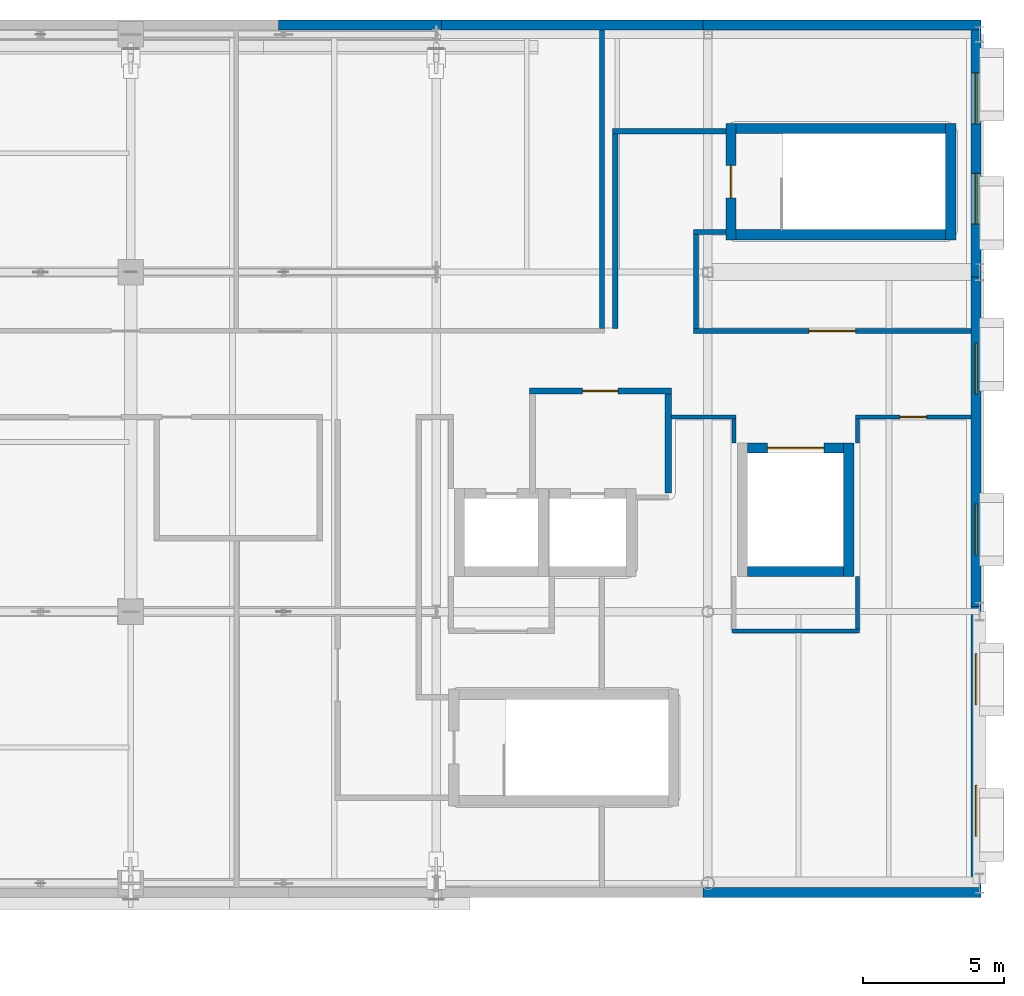
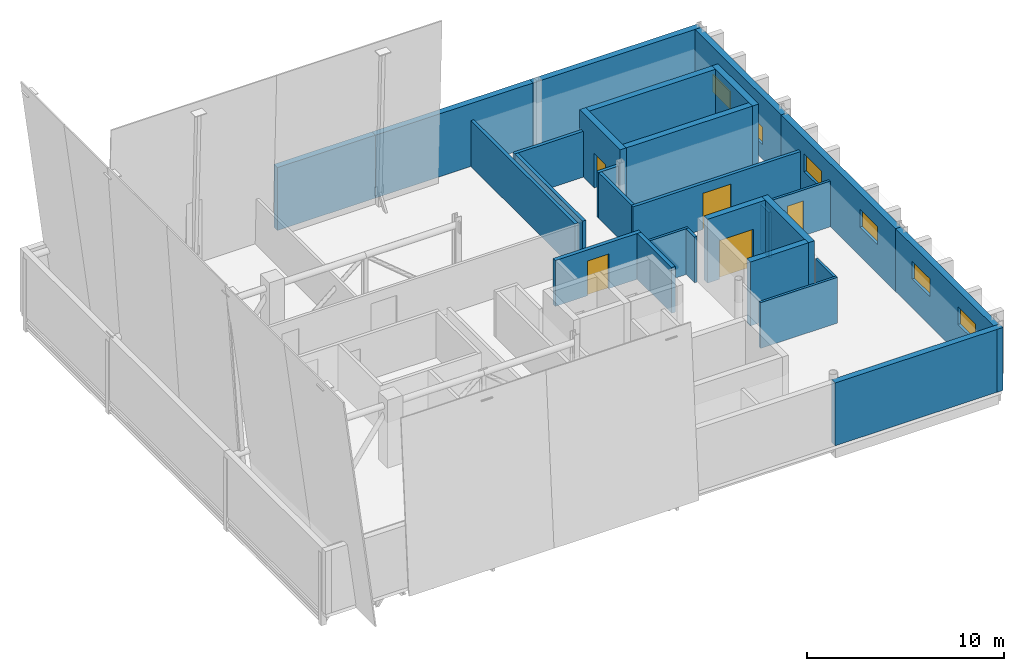
# One storey, part 8 of 10: 28 walls, 6 windows, 5 doors, 11 openings.
"""IFC4 building model written with IfcOpenShell, lengths in metres."""

from ifc_helpers import new_model, si_unit, direction, frame, frame_2d, origin, place, context, subcontext, project, spatial, rectangle, extrude, material, layer, layer_set, type_object, element, fill, save


model = new_model("IFC4")

# Units and contexts
model_context = context("Model", 3, precision=1e-05, world=origin(), true_north=direction((0.0, 1.0)))
body_context = subcontext(model_context, "Body", "Model", "MODEL_VIEW")
ifc_project = project(units=[si_unit("LENGTHUNIT", "METRE"), si_unit("AREAUNIT", "SQUARE_METRE"), si_unit("VOLUMEUNIT", "CUBIC_METRE"), si_unit("PLANEANGLEUNIT", "RADIAN"), si_unit("MASSUNIT", "GRAM", prefix="KILO")], contexts=[model_context])

# Site, building, storey
site_placement = place(None, origin())
site = spatial("IfcSite", under=ifc_project, at=site_placement, CompositionType="ELEMENT")
building_placement = place(site_placement, origin())
building = spatial("IfcBuilding", under=site, at=building_placement, Name="Zereglee Splitstone Museum", CompositionType="ELEMENT")
storey_placement = place(building_placement, frame((0.0, 0.0, 25.5)))
storey = spatial("IfcBuildingStorey", under=building, at=storey_placement, Name="L05", CompositionType="ELEMENT", Elevation=25.5)

# Wall, opening, door
ifc_material_1 = material(Name="Concrete C45/55", Category="concrete")
ifc_layer_1 = layer(ifc_material_1, 0.360107421875)
ifc_layer_set_1 = layer_set([ifc_layer_1], Name="Concrete C45/55")
wall_type_1 = type_object("IfcWallType", Name="CSW-02", PredefinedType="SHEAR", material=ifc_layer_set_1)
wall_1_placement = place(storey_placement, frame((30.820068359375, 22.739990234375, 0.0), z_axis=(0.0, 0.0, 1.0), x_axis=(0.0, 1.0, 0.0)))
wall_1 = element("IfcWall", 1, at=wall_1_placement, inside=storey, type_object=wall_type_1, Name="Stair Core Shear Wall ST-02 L05 West", PredefinedType="SHEAR", context=body_context, shape_type="SweptSolid", body=[
    extrude(rectangle(XDim=4.1201171875, YDim=0.360107421875, at=frame_2d((2.06005859375, 0.0))), origin(), (0.0, 0.0, 1.0), 3.9599609375),
])
opening_1_placement = place(wall_1_placement, frame((1.485107421875, 0.0, 0.0)))
opening_1 = element("IfcOpeningElement", 2, at=opening_1_placement, cuts=wall_1, Name="Opening ID-03", PredefinedType="OPENING", context=body_context, shape_type="SweptSolid", body=[
    extrude(rectangle(XDim=1.14990234375, YDim=2.14990234375, at=frame_2d((0.574951171875, 1.074951171875))), frame((0.0, 0.19482421875, 0.0), z_axis=(0.0, -1.0, 0.0), x_axis=(1.0, 0.0, 0.0)), (0.0, 0.0, 1.0), 0.389892578125),
])
ifc_material_2 = material(Name="Fire-rated steel and Siberian larch leaf", Category="steel")
door_type_1 = type_object("IfcDoorType", Name="ID-03", OperationType="NOTDEFINED", PredefinedType="DOOR", material=ifc_material_2)
door_1_placement = place(opening_1_placement, origin())
door_1 = element("IfcDoor", 3, at=door_1_placement, inside=storey, type_object=door_type_1, Name="Protected Stair Fire Door ST-02 L05", OperationType="SINGLE_SWING_LEFT", OverallHeight=2.14990234375, OverallWidth=1.14990234375, PredefinedType="DOOR", context=body_context, shape_type="SweptSolid", body=[
    extrude(rectangle(XDim=1.14990234375, YDim=2.14990234375, at=frame_2d((0.574951171875, 1.074951171875))), frame((0.0, 0.02490234375, 0.0), z_axis=(0.0, -1.0, 0.0), x_axis=(1.0, 0.0, 0.0)), (0.0, 0.0, 1.0), 0.050048828125),
])
fill(opening_1, door_1)

# Walls
wall_2_placement = place(storey_placement, frame((38.580078125, 22.739990234375, 0.0), z_axis=(0.0, 0.0, 1.0), x_axis=(0.0, 1.0, 0.0)))
element("IfcWall", 4, at=wall_2_placement, inside=storey, type_object=wall_type_1, Name="Stair Core Shear Wall ST-02 L05 East", PredefinedType="SHEAR", context=body_context, shape_type="SweptSolid", body=[
    extrude(rectangle(XDim=4.1201171875, YDim=0.360107421875, at=frame_2d((2.06005859375, 0.0))), origin(), (0.0, 0.0, 1.0), 3.9599609375),
])
for number, where, z_axis, x_axis, name in (
    (5, (31.0, 26.679931640625, 0.0), (0.0, 0.0, 1.0), (1.0, 0.0, 0.0), "Stair Core Shear Wall ST-02 L05 North"),
    (6, (31.0, 22.919921875, 0.0), (0.0, 0.0, 1.0), (1.0, 0.0, 0.0), "Stair Core Shear Wall ST-02 L05 South"),
):
    element("IfcWall", number, at=place(storey_placement, frame(where, z_axis=z_axis, x_axis=x_axis)), inside=storey, type_object=wall_type_1, Name=name, PredefinedType="SHEAR", context=body_context, shape_type="SweptSolid", body=[
        extrude(rectangle(XDim=7.39990234375, YDim=0.360107421875, at=frame_2d((3.699951171875, 0.0))), origin(), (0.0, 0.0, 1.0), 3.9599609375),
    ])

# Wall, opening, door
wall_3_placement = place(storey_placement, frame((31.39990234375, 15.3798828125, 0.0), z_axis=(0.0, 0.0, 1.0), x_axis=(1.0, 0.0, 0.0)))
wall_3 = element("IfcWall", 7, at=wall_3_placement, inside=storey, type_object=wall_type_1, Name="Lift Shaft Wall GL-02 L05 North", PredefinedType="SHEAR", context=body_context, shape_type="SweptSolid", body=[
    extrude(rectangle(XDim=3.400146484375, YDim=0.360107421875, at=frame_2d((1.7001953125, 0.0))), origin(), (0.0, 0.0, 1.0), 3.9599609375),
])
opening_2_placement = place(wall_3_placement, frame((0.699951171875, 0.0, 0.0)))
opening_2 = element("IfcOpeningElement", 8, at=opening_2_placement, cuts=wall_3, Name="Opening LD-03", PredefinedType="OPENING", context=body_context, shape_type="SweptSolid", body=[
    extrude(rectangle(XDim=2.0, YDim=2.39990234375, at=frame_2d((1.0, 1.199951171875))), frame((0.0, 0.19482421875, 0.0), z_axis=(0.0, -1.0, 0.0), x_axis=(1.0, 0.0, 0.0)), (0.0, 0.0, 1.0), 0.389892578125),
])
door_type_2 = type_object("IfcDoorType", Name="LD-03", OperationType="DOUBLE_DOOR_SLIDING", PredefinedType="DOOR", material=ifc_material_2)
door_2_placement = place(opening_2_placement, origin())
door_2 = element("IfcDoor", 9, at=door_2_placement, inside=storey, type_object=door_type_2, Name="Lift Landing Sliding Door GL-02 L05", OperationType="DOUBLE_DOOR_SLIDING", OverallHeight=2.39990234375, OverallWidth=2.0, PredefinedType="DOOR", context=body_context, shape_type="SweptSolid", body=[
    extrude(rectangle(XDim=2.0, YDim=2.39990234375, at=frame_2d((1.0, 1.199951171875))), frame((0.0, 0.02490234375, 0.0), z_axis=(0.0, -1.0, 0.0), x_axis=(1.0, 0.0, 0.0)), (0.0, 0.0, 1.0), 0.050048828125),
])
fill(opening_2, door_2)

# Walls
wall_4_placement = place(storey_placement, frame((31.39990234375, 11.02001953125, 0.0), z_axis=(0.0, 0.0, 1.0), x_axis=(1.0, 0.0, 0.0)))
element("IfcWall", 10, at=wall_4_placement, inside=storey, type_object=wall_type_1, Name="Lift Shaft Wall GL-02 L05 South", PredefinedType="SHEAR", context=body_context, shape_type="SweptSolid", body=[
    extrude(rectangle(XDim=3.400146484375, YDim=0.360107421875, at=frame_2d((1.7001953125, 0.0))), origin(), (0.0, 0.0, 1.0), 3.9599609375),
])
wall_5_placement = place(storey_placement, frame((34.97998046875, 10.840087890625, 0.0), z_axis=(0.0, 0.0, 1.0), x_axis=(0.0, 1.0, 0.0)))
element("IfcWall", 11, at=wall_5_placement, inside=storey, type_object=wall_type_1, Name="Lift Shaft Wall GL-02 L05 East", PredefinedType="SHEAR", context=body_context, shape_type="SweptSolid", body=[
    extrude(rectangle(XDim=4.719970703125, YDim=0.360107421875, at=frame_2d((2.35986328125, 0.0))), origin(), (0.0, 0.0, 1.0), 3.9599609375),
])

# Wall, openings, windows
ifc_material_3 = material(Name="Precast concrete C40/50", Category="concrete")
ifc_layer_2 = layer(ifc_material_3, 0.35009765625)
ifc_layer_set_2 = layer_set([ifc_layer_2], Name="Precast concrete C40/50")
wall_type_2 = type_object("IfcWallType", Name="EW-01", PredefinedType="STANDARD", material=ifc_layer_set_2)
wall_6_placement = place(storey_placement, frame((39.47998046875, -0.510009765625, 0.0), z_axis=(0.0, 0.0, 1.0), x_axis=(0.0, 1.0, 0.0)))
wall_6 = element("IfcWall", 12, at=wall_6_placement, inside=storey, type_object=wall_type_2, Name="Exterior Backup Wall RC4-EW-L05-0238", PredefinedType="STANDARD", context=body_context, shape_type="SweptSolid", body=[
    extrude(rectangle(XDim=10.2900390625, YDim=0.35009765625, at=frame_2d((5.14501953125, 0.0))), origin(), (0.0, 0.0, 1.0), 3.89990234375),
])
opening_3_placement = place(wall_6_placement, frame((2.172607421875, 0.0, 1.800048828125)))
opening_3 = element("IfcOpeningElement", 13, at=opening_3_placement, cuts=wall_6, Name="Opening EW-W12", PredefinedType="OPENING", context=body_context, shape_type="SweptSolid", body=[
    extrude(rectangle(XDim=1.800048828125, YDim=1.10009765625, at=frame_2d((0.89990234375, 0.550048828125))), frame((0.0, 0.18994140625, 0.0), z_axis=(0.0, -1.0, 0.0), x_axis=(1.0, 0.0, 0.0)), (0.0, 0.0, 1.0), 0.3798828125),
])
opening_4_placement = place(wall_6_placement, frame((6.8173828125, 0.0, 1.800048828125)))
opening_4 = element("IfcOpeningElement", 14, at=opening_4_placement, cuts=wall_6, Name="Opening EW-W12", PredefinedType="OPENING", context=body_context, shape_type="SweptSolid", body=[
    extrude(rectangle(XDim=1.800048828125, YDim=1.10009765625, at=frame_2d((0.89990234375, 0.550048828125))), frame((0.0, 0.18994140625, 0.0), z_axis=(0.0, -1.0, 0.0), x_axis=(1.0, 0.0, 0.0)), (0.0, 0.0, 1.0), 0.3798828125),
])
ifc_material_4 = material(Name="Thermally broken aluminium frame with triple low-e glazing", Category="aluminium")
window_type = type_object("IfcWindowType", Name="EW-W12", PartitioningType="DOUBLE_PANEL_HORIZONTAL", PredefinedType="WINDOW", material=ifc_material_4)
window_1_placement = place(opening_3_placement, origin())
window_1 = element("IfcWindow", 15, at=window_1_placement, inside=storey, type_object=window_type, Name="Mughal Deep-Reveal Gallery Window L05-0153", OverallHeight=1.10009765625, OverallWidth=1.800048828125, PartitioningType="SINGLE_PANEL", PredefinedType="WINDOW", context=body_context, shape_type="SweptSolid", body=[
    extrude(rectangle(XDim=1.800048828125, YDim=1.10009765625, at=frame_2d((0.89990234375, 0.550048828125))), frame((0.0, 0.030029296875, 0.0), z_axis=(0.0, -1.0, 0.0), x_axis=(1.0, 0.0, 0.0)), (0.0, 0.0, 1.0), 0.06005859375),
])
fill(opening_3, window_1)
window_2_placement = place(opening_4_placement, origin())
window_2 = element("IfcWindow", 16, at=window_2_placement, inside=storey, type_object=window_type, Name="Mughal Deep-Reveal Gallery Window L05-0154", OverallHeight=1.10009765625, OverallWidth=1.800048828125, PartitioningType="SINGLE_PANEL", PredefinedType="WINDOW", context=body_context, shape_type="SweptSolid", body=[
    extrude(rectangle(XDim=1.800048828125, YDim=1.10009765625, at=frame_2d((0.89990234375, 0.550048828125))), frame((0.0, 0.030029296875, 0.0), z_axis=(0.0, -1.0, 0.0), x_axis=(1.0, 0.0, 0.0)), (0.0, 0.0, 1.0), 0.06005859375),
])
fill(opening_4, window_2)

wall_7_placement = place(storey_placement, frame((39.47998046875, 9.419921875, 0.0), z_axis=(0.0, 0.0, 1.0), x_axis=(0.0, 1.0, 0.0)))
wall_7 = element("IfcWall", 17, at=wall_7_placement, inside=storey, type_object=wall_type_2, Name="Exterior Backup Wall RC4-EW-L05-0239", PredefinedType="STANDARD", context=body_context, shape_type="SweptSolid", body=[
    extrude(rectangle(XDim=12.360107421875, YDim=0.35009765625, at=frame_2d((6.18017578125, 0.0))), origin(), (0.0, 0.0, 1.0), 3.89990234375),
])
opening_5_placement = place(wall_7_placement, frame((2.18994140625, 0.0, 1.800048828125)))
opening_5 = element("IfcOpeningElement", 18, at=opening_5_placement, cuts=wall_7, Name="Opening EW-W12", PredefinedType="OPENING", context=body_context, shape_type="SweptSolid", body=[
    extrude(rectangle(XDim=1.800048828125, YDim=1.10009765625, at=frame_2d((0.89990234375, 0.550048828125))), frame((0.0, 0.18994140625, 0.0), z_axis=(0.0, -1.0, 0.0), x_axis=(1.0, 0.0, 0.0)), (0.0, 0.0, 1.0), 0.3798828125),
])
opening_6_placement = place(wall_7_placement, frame((7.8701171875, 0.0, 1.800048828125)))
opening_6 = element("IfcOpeningElement", 19, at=opening_6_placement, cuts=wall_7, Name="Opening EW-W12", PredefinedType="OPENING", context=body_context, shape_type="SweptSolid", body=[
    extrude(rectangle(XDim=1.800048828125, YDim=1.10009765625, at=frame_2d((0.89990234375, 0.550048828125))), frame((0.0, 0.18994140625, 0.0), z_axis=(0.0, -1.0, 0.0), x_axis=(1.0, 0.0, 0.0)), (0.0, 0.0, 1.0), 0.3798828125),
])
window_3_placement = place(opening_5_placement, origin())
window_3 = element("IfcWindow", 20, at=window_3_placement, inside=storey, type_object=window_type, Name="Mughal Deep-Reveal Gallery Window L05-0155", OverallHeight=1.10009765625, OverallWidth=1.800048828125, PartitioningType="SINGLE_PANEL", PredefinedType="WINDOW", context=body_context, shape_type="SweptSolid", body=[
    extrude(rectangle(XDim=1.800048828125, YDim=1.10009765625, at=frame_2d((0.89990234375, 0.550048828125))), frame((0.0, 0.030029296875, 0.0), z_axis=(0.0, -1.0, 0.0), x_axis=(1.0, 0.0, 0.0)), (0.0, 0.0, 1.0), 0.06005859375),
])
fill(opening_5, window_3)
window_4_placement = place(opening_6_placement, origin())
window_4 = element("IfcWindow", 21, at=window_4_placement, inside=storey, type_object=window_type, Name="Mughal Deep-Reveal Gallery Window L05-0156", OverallHeight=1.10009765625, OverallWidth=1.800048828125, PartitioningType="SINGLE_PANEL", PredefinedType="WINDOW", context=body_context, shape_type="SweptSolid", body=[
    extrude(rectangle(XDim=1.800048828125, YDim=1.10009765625, at=frame_2d((0.89990234375, 0.550048828125))), frame((0.0, 0.030029296875, 0.0), z_axis=(0.0, -1.0, 0.0), x_axis=(1.0, 0.0, 0.0)), (0.0, 0.0, 1.0), 0.06005859375),
])
fill(opening_6, window_4)

wall_8_placement = place(storey_placement, frame((39.47998046875, 21.419921875, 0.0), z_axis=(0.0, 0.0, 1.0), x_axis=(0.0, 1.0, 0.0)))
wall_8 = element("IfcWall", 22, at=wall_8_placement, inside=storey, type_object=wall_type_2, Name="Exterior Backup Wall RC4-EW-L05-0240", PredefinedType="STANDARD", context=body_context, shape_type="SweptSolid", body=[
    extrude(rectangle(XDim=9.090087890625, YDim=0.35009765625, at=frame_2d((4.544921875, 0.0))), origin(), (0.0, 0.0, 1.0), 3.89990234375),
])
opening_7_placement = place(wall_8_placement, frame((1.87255859375, 0.0, 0.89990234375)))
opening_7 = element("IfcOpeningElement", 23, at=opening_7_placement, cuts=wall_8, Name="Opening EW-W12", PredefinedType="OPENING", context=body_context, shape_type="SweptSolid", body=[
    extrude(rectangle(XDim=1.800048828125, YDim=1.10009765625, at=frame_2d((0.89990234375, 0.550048828125))), frame((0.0, 0.18994140625, 0.0), z_axis=(0.0, -1.0, 0.0), x_axis=(1.0, 0.0, 0.0)), (0.0, 0.0, 1.0), 0.3798828125),
])
opening_8_placement = place(wall_8_placement, frame((5.41748046875, 0.0, 0.89990234375)))
opening_8 = element("IfcOpeningElement", 24, at=opening_8_placement, cuts=wall_8, Name="Opening EW-W12", PredefinedType="OPENING", context=body_context, shape_type="SweptSolid", body=[
    extrude(rectangle(XDim=1.800048828125, YDim=1.10009765625, at=frame_2d((0.89990234375, 0.550048828125))), frame((0.0, 0.18994140625, 0.0), z_axis=(0.0, -1.0, 0.0), x_axis=(1.0, 0.0, 0.0)), (0.0, 0.0, 1.0), 0.3798828125),
])
window_5_placement = place(opening_7_placement, origin())
window_5 = element("IfcWindow", 25, at=window_5_placement, inside=storey, type_object=window_type, Name="Mughal Deep-Reveal Gallery Window L05-0157", OverallHeight=1.10009765625, OverallWidth=1.800048828125, PartitioningType="SINGLE_PANEL", PredefinedType="WINDOW", context=body_context, shape_type="SweptSolid", body=[
    extrude(rectangle(XDim=1.800048828125, YDim=1.10009765625, at=frame_2d((0.89990234375, 0.550048828125))), frame((0.0, 0.030029296875, 0.0), z_axis=(0.0, -1.0, 0.0), x_axis=(1.0, 0.0, 0.0)), (0.0, 0.0, 1.0), 0.06005859375),
])
fill(opening_7, window_5)
window_6_placement = place(opening_8_placement, origin())
window_6 = element("IfcWindow", 26, at=window_6_placement, inside=storey, type_object=window_type, Name="Mughal Deep-Reveal Gallery Window L05-0158", OverallHeight=1.10009765625, OverallWidth=1.800048828125, PartitioningType="SINGLE_PANEL", PredefinedType="WINDOW", context=body_context, shape_type="SweptSolid", body=[
    extrude(rectangle(XDim=1.800048828125, YDim=1.10009765625, at=frame_2d((0.89990234375, 0.550048828125))), frame((0.0, 0.030029296875, 0.0), z_axis=(0.0, -1.0, 0.0), x_axis=(1.0, 0.0, 0.0)), (0.0, 0.0, 1.0), 0.06005859375),
])
fill(opening_8, window_6)

# Walls
wall_9_placement = place(storey_placement, frame((39.659912109375, 30.330078125, 0.0), z_axis=(0.0, 0.0, 1.0), x_axis=(-1.0, 0.0, 0.0)))
element("IfcWall", 27, at=wall_9_placement, inside=storey, type_object=wall_type_2, Name="Exterior Backup Wall RC4-EW-L05-0241", PredefinedType="STANDARD", context=body_context, shape_type="SweptSolid", body=[
    extrude(rectangle(XDim=9.83984375, YDim=0.35009765625, at=frame_2d((4.919921875, 0.0))), origin(), (0.0, 0.0, 1.0), 3.89990234375),
])
wall_10_placement = place(storey_placement, frame((30.179931640625, 30.330078125, 0.0), z_axis=(0.0, 0.0, 1.0), x_axis=(-1.0, 0.0, 0.0)))
element("IfcWall", 28, at=wall_10_placement, inside=storey, type_object=wall_type_2, Name="Exterior Backup Wall RC4-EW-L05-0242", PredefinedType="STANDARD", context=body_context, shape_type="SweptSolid", body=[
    extrude(rectangle(XDim=9.9599609375, YDim=0.35009765625, at=frame_2d((4.97998046875, 0.0))), origin(), (0.0, 0.0, 1.0), 3.89990234375),
])
wall_11_placement = place(storey_placement, frame((20.580078125, 30.330078125, 0.0), z_axis=(0.0, 0.0, 1.0), x_axis=(-1.0, 0.0, 0.0)))
element("IfcWall", 29, at=wall_11_placement, inside=storey, type_object=wall_type_2, Name="Exterior Backup Wall RC4-EW-L05-0243", PredefinedType="STANDARD", context=body_context, shape_type="SweptSolid", body=[
    extrude(rectangle(XDim=5.760009765625, YDim=0.35009765625, at=frame_2d((2.8798828125, 0.0))), origin(), (0.0, 0.0, 1.0), 3.89990234375),
])
wall_12_placement = place(storey_placement, frame((29.820068359375, -0.330078125, 0.0), z_axis=(0.0, 0.0, 1.0), x_axis=(1.0, 0.0, 0.0)))
element("IfcWall", 30, at=wall_12_placement, inside=storey, type_object=wall_type_2, Name="Exterior Backup Wall RC4-EW-L05-0253", PredefinedType="STANDARD", context=body_context, shape_type="SweptSolid", body=[
    extrude(rectangle(XDim=9.83984375, YDim=0.35009765625, at=frame_2d((4.919921875, 0.0))), origin(), (0.0, 0.0, 1.0), 3.89990234375),
])
ifc_material_5 = material(Name="Fire-rated gypsum board partition", Category="masonry")
ifc_layer_3 = layer(ifc_material_5, 0.139892578125)
ifc_layer_set_3 = layer_set([ifc_layer_3], Name="Fire-rated gypsum board partition")
wall_type_3 = type_object("IfcWallType", Name="IW-05", PredefinedType="PARTITIONING", material=ifc_layer_set_3)
wall_13_placement = place(storey_placement, frame((30.85009765625, 8.919921875, 0.0), z_axis=(0.0, 0.0, 1.0), x_axis=(1.0, 0.0, 0.0)))
element("IfcWall", 31, at=wall_13_placement, inside=storey, type_object=wall_type_3, Name="Interior Partition L05-0698 (Research Reading Room)", PredefinedType="PARTITIONING", context=body_context, shape_type="SweptSolid", body=[
    extrude(rectangle(XDim=4.5, YDim=0.139892578125, at=frame_2d((2.25, 0.0))), origin(), (0.0, 0.0, 1.0), 2.840087890625),
])
wall_14_placement = place(storey_placement, frame((28.7099609375, 16.47998046875, 0.0), z_axis=(0.0, 0.0, 1.0), x_axis=(1.0, 0.0, 0.0)))
element("IfcWall", 32, at=wall_14_placement, inside=storey, type_object=wall_type_3, Name="Interior Partition L05-0703 (Research Reading Room)", PredefinedType="PARTITIONING", context=body_context, shape_type="SweptSolid", body=[
    extrude(rectangle(XDim=2.280029296875, YDim=0.139892578125, at=frame_2d((1.14013671875, 0.0))), origin(), (0.0, 0.0, 1.0), 2.840087890625),
])

# Wall, opening, door
wall_15_placement = place(storey_placement, frame((35.2099609375, 16.47998046875, 0.0), z_axis=(0.0, 0.0, 1.0), x_axis=(1.0, 0.0, 0.0)))
wall_15 = element("IfcWall", 33, at=wall_15_placement, inside=storey, type_object=wall_type_3, Name="Interior Partition L05-0704 (Research Reading Room)", PredefinedType="PARTITIONING", context=body_context, shape_type="SweptSolid", body=[
    extrude(rectangle(XDim=4.094970703125, YDim=0.139892578125, at=frame_2d((2.04736328125, 0.0))), origin(), (0.0, 0.0, 1.0), 2.840087890625),
])
opening_9_placement = place(wall_15_placement, frame((1.572509765625, 0.0, 0.0)))
opening_9 = element("IfcOpeningElement", 34, at=opening_9_placement, cuts=wall_15, Name="Opening ID-11", PredefinedType="OPENING", context=body_context, shape_type="SweptSolid", body=[
    extrude(rectangle(XDim=0.949951171875, YDim=2.14990234375, at=frame_2d((0.47509765625, 1.074951171875))), frame((0.0, 0.0849609375, 0.0), z_axis=(0.0, -1.0, 0.0), x_axis=(1.0, 0.0, 0.0)), (0.0, 0.0, 1.0), 0.169677734375),
])
ifc_material_6 = material(Name="Siberian larch acoustic timber leaf in bronze-steel frame", Category="steel")
door_type_3 = type_object("IfcDoorType", Name="ID-11", OperationType="NOTDEFINED", PredefinedType="DOOR", material=ifc_material_6)
door_3_placement = place(opening_9_placement, frame((0.949951171875, 0.0, 0.0), z_axis=(0.0, 0.0, 1.0), x_axis=(-1.0, 0.0, 0.0)))
door_3 = element("IfcDoor", 35, at=door_3_placement, inside=storey, type_object=door_type_3, Name="Interior Door L05-0120 (Research Reading Room)", OperationType="SINGLE_SWING_LEFT", OverallHeight=2.14990234375, OverallWidth=0.949951171875, PredefinedType="DOOR", context=body_context, shape_type="SweptSolid", body=[
    extrude(rectangle(XDim=0.949951171875, YDim=2.14990234375, at=frame_2d((0.47509765625, 1.074951171875))), frame((0.0, 0.02490234375, 0.0), z_axis=(0.0, -1.0, 0.0), x_axis=(1.0, 0.0, 0.0)), (0.0, 0.0, 1.0), 0.050048828125),
])
fill(opening_9, door_3)

# Walls
wall_16_placement = place(storey_placement, frame((30.919921875, 15.56005859375, 0.0), z_axis=(0.0, 0.0, 1.0), x_axis=(0.0, 1.0, 0.0)))
element("IfcWall", 36, at=wall_16_placement, inside=storey, type_object=wall_type_3, Name="Interior Partition L05-0724 (Research Reading Room)", PredefinedType="PARTITIONING", context=body_context, shape_type="SweptSolid", body=[
    extrude(rectangle(XDim=0.849853515625, YDim=0.139892578125, at=frame_2d((0.4248046875, 0.0))), origin(), (0.0, 0.0, 1.0), 2.840087890625),
])
wall_17_placement = place(storey_placement, frame((35.280029296875, 8.989990234375, 0.0), z_axis=(0.0, 0.0, 1.0), x_axis=(0.0, 1.0, 0.0)))
element("IfcWall", 37, at=wall_17_placement, inside=storey, type_object=wall_type_3, Name="Interior Partition L05-0725 (Research Reading Room)", PredefinedType="PARTITIONING", context=body_context, shape_type="SweptSolid", body=[
    extrude(rectangle(XDim=1.85009765625, YDim=0.139892578125, at=frame_2d((0.925048828125, 0.0))), origin(), (0.0, 0.0, 1.0), 2.840087890625),
])
wall_18_placement = place(storey_placement, frame((35.280029296875, 15.56005859375, 0.0), z_axis=(0.0, 0.0, 1.0), x_axis=(0.0, 1.0, 0.0)))
element("IfcWall", 38, at=wall_18_placement, inside=storey, type_object=wall_type_3, Name="Interior Partition L05-0726 (Research Reading Room)", PredefinedType="PARTITIONING", context=body_context, shape_type="SweptSolid", body=[
    extrude(rectangle(XDim=0.849853515625, YDim=0.139892578125, at=frame_2d((0.4248046875, 0.0))), origin(), (0.0, 0.0, 1.0), 2.840087890625),
])

# Wall, opening, door
ifc_material_7 = material(Name="Concrete C35/45", Category="concrete")
ifc_layer_4 = layer(ifc_material_7, 0.219970703125)
ifc_layer_set_4 = layer_set([ifc_layer_4], Name="Concrete C35/45")
wall_type_4 = type_object("IfcWallType", Name="IW-01", PredefinedType="PARTITIONING", material=ifc_layer_set_4)
wall_19_placement = place(storey_placement, frame((23.68994140625, 17.39990234375, 0.0), z_axis=(0.0, 0.0, 1.0), x_axis=(1.0, 0.0, 0.0)))
wall_19 = element("IfcWall", 39, at=wall_19_placement, inside=storey, type_object=wall_type_4, Name="Firefighting Lobby Wall L05 North", PredefinedType="PARTITIONING", context=body_context, shape_type="SweptSolid", body=[
    extrude(rectangle(XDim=5.02001953125, YDim=0.219970703125, at=frame_2d((2.510009765625, 0.0))), origin(), (0.0, 0.0, 1.0), 2.840087890625),
])
opening_10_placement = place(wall_19_placement, frame((1.885009765625, 0.0, 0.0)))
opening_10 = element("IfcOpeningElement", 40, at=opening_10_placement, cuts=wall_19, Name="Opening ID-04", PredefinedType="OPENING", context=body_context, shape_type="SweptSolid", body=[
    extrude(rectangle(XDim=1.25, YDim=2.14990234375, at=frame_2d((0.625, 1.074951171875))), frame((0.0, 0.125, 0.0), z_axis=(0.0, -1.0, 0.0), x_axis=(1.0, 0.0, 0.0)), (0.0, 0.0, 1.0), 0.249755859375),
])
door_type_4 = type_object("IfcDoorType", Name="ID-04", OperationType="NOTDEFINED", PredefinedType="DOOR", material=ifc_material_2)
door_4_placement = place(opening_10_placement, origin())
door_4 = element("IfcDoor", 41, at=door_4_placement, inside=storey, type_object=door_type_4, Name="Firefighting Lobby Fire Door L05", OperationType="SINGLE_SWING_RIGHT", OverallHeight=2.14990234375, OverallWidth=1.25, PredefinedType="DOOR", context=body_context, shape_type="SweptSolid", body=[
    extrude(rectangle(XDim=1.25, YDim=2.14990234375, at=frame_2d((0.625, 1.074951171875))), frame((0.0, 0.02490234375, 0.0), z_axis=(0.0, -1.0, 0.0), x_axis=(1.0, 0.0, 0.0)), (0.0, 0.0, 1.0), 0.050048828125),
])
fill(opening_10, door_4)

# Wall
wall_20_placement = place(storey_placement, frame((28.60009765625, 13.800048828125, 0.0), z_axis=(0.0, 0.0, 1.0), x_axis=(0.0, 1.0, 0.0)))
element("IfcWall", 42, at=wall_20_placement, inside=storey, type_object=wall_type_4, Name="Firefighting Lobby Wall L05 East", PredefinedType="PARTITIONING", context=body_context, shape_type="SweptSolid", body=[
    extrude(rectangle(XDim=3.489990234375, YDim=0.219970703125, at=frame_2d((1.7451171875, 0.0))), origin(), (0.0, 0.0, 1.0), 2.840087890625),
])

# Wall, opening, door
ifc_material_8 = material(Name="Gypsum board on acoustic steel stud", Category="steel")
ifc_layer_5 = layer(ifc_material_8, 0.18994140625)
ifc_layer_set_5 = layer_set([ifc_layer_5], Name="Gypsum board on acoustic steel stud")
wall_type_5 = type_object("IfcWallType", Name="IW-02", PredefinedType="PARTITIONING", material=ifc_layer_set_5)
wall_21_placement = place(storey_placement, frame((29.485107421875, 19.52001953125, 0.0), z_axis=(0.0, 0.0, 1.0), x_axis=(1.0, 0.0, 0.0)))
wall_21 = element("IfcWall", 43, at=wall_21_placement, inside=storey, type_object=wall_type_5, Name="Interior Partition L05-0706 (Scholars Seminar Room)", PredefinedType="PARTITIONING", context=body_context, shape_type="SweptSolid", body=[
    extrude(rectangle(XDim=9.81982421875, YDim=0.18994140625, at=frame_2d((4.909912109375, 0.0))), origin(), (0.0, 0.0, 1.0), 2.840087890625),
])
opening_11_placement = place(wall_21_placement, frame((4.0849609375, 0.0, 0.0)))
opening_11 = element("IfcOpeningElement", 44, at=opening_11_placement, cuts=wall_21, Name="Opening ID-13", PredefinedType="OPENING", context=body_context, shape_type="SweptSolid", body=[
    extrude(rectangle(XDim=1.64990234375, YDim=2.25, at=frame_2d((0.824951171875, 1.125))), frame((0.0, 0.10986328125, 0.0), z_axis=(0.0, -1.0, 0.0), x_axis=(1.0, 0.0, 0.0)), (0.0, 0.0, 1.0), 0.2197265625),
])
door_type_5 = type_object("IfcDoorType", Name="ID-13", OperationType="NOTDEFINED", PredefinedType="DOOR", material=ifc_material_2)
door_5_placement = place(opening_11_placement, origin())
door_5 = element("IfcDoor", 45, at=door_5_placement, inside=storey, type_object=door_type_5, Name="Interior Door L05-0123 (Scholars Seminar Room)", OperationType="DOUBLE_DOOR_SINGLE_SWING", OverallHeight=2.25, OverallWidth=1.64990234375, PredefinedType="DOOR", context=body_context, shape_type="SweptSolid", body=[
    extrude(rectangle(XDim=1.64990234375, YDim=2.25, at=frame_2d((0.824951171875, 1.125))), frame((0.0, 0.02490234375, 0.0), z_axis=(0.0, -1.0, 0.0), x_axis=(1.0, 0.0, 0.0)), (0.0, 0.0, 1.0), 0.050048828125),
])
fill(opening_11, door_5)

# Walls
wall_22_placement = place(storey_placement, frame((29.485107421875, 23.02001953125, 0.0), z_axis=(0.0, 0.0, 1.0), x_axis=(1.0, 0.0, 0.0)))
element("IfcWall", 46, at=wall_22_placement, inside=storey, type_object=wall_type_5, Name="Interior Partition L05-0707 (Scholars Seminar Room)", PredefinedType="PARTITIONING", context=body_context, shape_type="SweptSolid", body=[
    extrude(rectangle(XDim=1.15478515625, YDim=0.18994140625, at=frame_2d((0.577392578125, 0.0))), origin(), (0.0, 0.0, 1.0), 2.840087890625),
])
wall_23_placement = place(storey_placement, frame((26.625, 26.580078125, 0.0), z_axis=(0.0, 0.0, 1.0), x_axis=(1.0, 0.0, 0.0)))
element("IfcWall", 47, at=wall_23_placement, inside=storey, type_object=wall_type_5, Name="Interior Partition L05-0708 (Scholars Seminar Room)", PredefinedType="PARTITIONING", context=body_context, shape_type="SweptSolid", body=[
    extrude(rectangle(XDim=4.014892578125, YDim=0.18994140625, at=frame_2d((2.00732421875, 0.0))), origin(), (0.0, 0.0, 1.0), 2.840087890625),
])
wall_24_placement = place(storey_placement, frame((26.260009765625, 19.60009765625, 0.0), z_axis=(0.0, 0.0, 1.0), x_axis=(0.0, 1.0, 0.0)))
element("IfcWall", 48, at=wall_24_placement, inside=storey, type_object=wall_type_5, Name="Interior Partition L05-0720 (Conservation Preparation Studio)", PredefinedType="PARTITIONING", context=body_context, shape_type="SweptSolid", body=[
    extrude(rectangle(XDim=10.554931640625, YDim=0.18994140625, at=frame_2d((5.27734375, 0.0))), origin(), (0.0, 0.0, 1.0), 2.840087890625),
])
wall_25_placement = place(storey_placement, frame((26.719970703125, 19.610107421875, 0.0), z_axis=(0.0, 0.0, 1.0), x_axis=(0.0, 1.0, 0.0)))
element("IfcWall", 49, at=wall_25_placement, inside=storey, type_object=wall_type_5, Name="Interior Partition L05-0721 (Scholars Seminar Room)", PredefinedType="PARTITIONING", context=body_context, shape_type="SweptSolid", body=[
    extrude(rectangle(XDim=6.875, YDim=0.18994140625, at=frame_2d((3.4375, 0.0))), origin(), (0.0, 0.0, 1.0), 2.840087890625),
])
wall_26_placement = place(storey_placement, frame((29.580078125, 19.614990234375, 0.0), z_axis=(0.0, 0.0, 1.0), x_axis=(0.0, 1.0, 0.0)))
element("IfcWall", 50, at=wall_26_placement, inside=storey, type_object=wall_type_5, Name="Interior Partition L05-0722 (Scholars Seminar Room)", PredefinedType="PARTITIONING", context=body_context, shape_type="SweptSolid", body=[
    extrude(rectangle(XDim=3.31005859375, YDim=0.18994140625, at=frame_2d((1.655029296875, 0.0))), origin(), (0.0, 0.0, 1.0), 2.840087890625),
])

save(model, "model.ifc")
